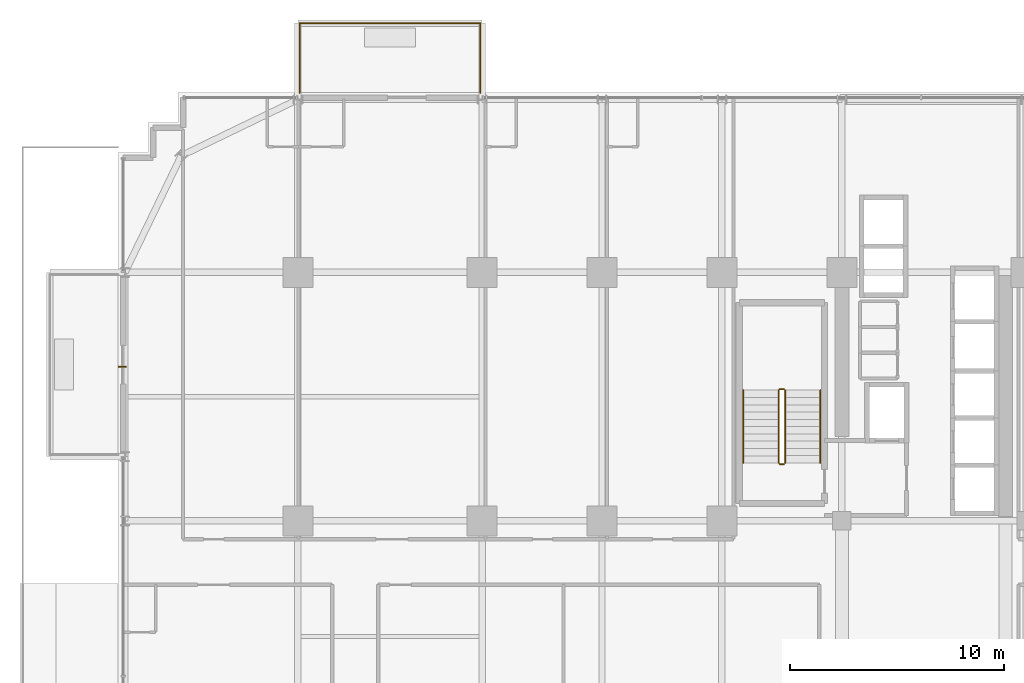
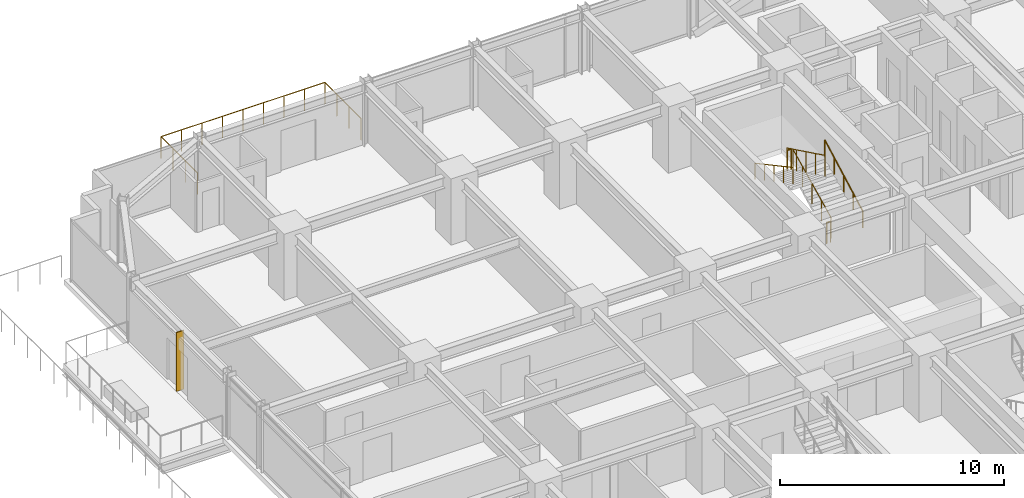
# One storey, part 38 of 39: 7 railings, 1 shading device.
"""IFC4 building model written with IfcOpenShell, lengths in metres."""

from ifc_helpers import new_model, si_unit, direction, frame, origin, origin_2d, place, context, subcontext, project, spatial, rectangle, circle, extrude, source, transform, mapped, material, layer, layer_set, type_object, element, save


model = new_model("IFC4")

# Units and contexts
model_context = context("Model", 3, precision=1e-05, world=origin(), true_north=direction((0.0, 1.0)))
body_context = subcontext(model_context, "Body", "Model", "MODEL_VIEW")
ifc_project = project(units=[si_unit("LENGTHUNIT", "METRE"), si_unit("AREAUNIT", "SQUARE_METRE"), si_unit("VOLUMEUNIT", "CUBIC_METRE"), si_unit("PLANEANGLEUNIT", "RADIAN"), si_unit("MASSUNIT", "GRAM", prefix="KILO")], contexts=[model_context])

# Site, building, storey
site_placement = place(None, origin())
site = spatial("IfcSite", under=ifc_project, at=site_placement, CompositionType="ELEMENT")
building_placement = place(site_placement, origin())
building = spatial("IfcBuilding", under=site, at=building_placement, Name="Nahalor Promenade Grand Hotel", CompositionType="ELEMENT")
storey_placement = place(building_placement, frame((0.0, 0.0, 32.39990234375)))
storey = spatial("IfcBuildingStorey", under=building, at=storey_placement, Name="L06", CompositionType="ELEMENT", Elevation=32.39990234375)

# Railings
ifc_material_1 = material(Name="Anodised Bronze Aluminium EN AW-6063 T6", Category="aluminium")
railing_type_1 = type_object("IfcRailingType", Name="Bronze Balcony Guardrail 1200 mm", PredefinedType="GUARDRAIL", material=ifc_material_1)
railing_1_placement = place(storey_placement, frame((-16.919921875, 25.39990234375, 0.0)))
element("IfcRailing", 1, at=railing_1_placement, inside=storey, type_object=railing_type_1, Name="L06 Balcony Guardrail 1", PredefinedType="GUARDRAIL", context=body_context, shape_type="SweptSolid", body=[
    extrude(circle(Radius=0.024048, at=origin_2d()), frame((0.0, 0.0, 1.17578125), z_axis=(0.0, 1.0, 0.0), x_axis=(-1.0, 0.0, 0.0)), (0.0, 0.0, 1.0), 3.238037109375),
    extrude(circle(Radius=0.024048, at=origin_2d()), frame((0.001953125, 3.239990234375, 1.17578125), z_axis=(1.0, 0.0, 0.0), x_axis=(0.0, 1.0, 0.0)), (0.0, 0.0, 1.0), 8.43603515625),
    extrude(circle(Radius=0.024048, at=origin_2d()), frame((8.43994140625, 3.238037109375, 1.17578125), z_axis=(0.0, -1.0, 0.0), x_axis=(1.0, 0.0, 0.0)), (0.0, 0.0, 1.0), 3.238037109375),
    extrude(circle(Radius=0.020996, at=origin_2d()), origin(), (0.0, 0.0, 1.0), 1.14990234375),
    extrude(circle(Radius=0.020996, at=origin_2d()), frame((0.0, 1.080078125, 0.0)), (0.0, 0.0, 1.0), 1.14990234375),
    extrude(circle(Radius=0.020996, at=origin_2d()), frame((0.0, 2.159912109375, 0.0)), (0.0, 0.0, 1.0), 1.14990234375),
    extrude(circle(Radius=0.020996, at=origin_2d()), frame((0.0, 3.239990234375, 0.0)), (0.0, 0.0, 1.0), 1.14990234375),
    extrude(circle(Radius=0.020996, at=origin_2d()), frame((1.054931640625, 3.239990234375, 0.0)), (0.0, 0.0, 1.0), 1.14990234375),
    extrude(circle(Radius=0.020996, at=origin_2d()), frame((2.10986328125, 3.239990234375, 0.0)), (0.0, 0.0, 1.0), 1.14990234375),
    extrude(circle(Radius=0.020996, at=origin_2d()), frame((3.1650390625, 3.239990234375, 0.0)), (0.0, 0.0, 1.0), 1.14990234375),
    extrude(circle(Radius=0.020996, at=origin_2d()), frame((4.219970703125, 3.239990234375, 0.0)), (0.0, 0.0, 1.0), 1.14990234375),
    extrude(circle(Radius=0.020996, at=origin_2d()), frame((5.27490234375, 3.239990234375, 0.0)), (0.0, 0.0, 1.0), 1.14990234375),
    extrude(circle(Radius=0.020996, at=origin_2d()), frame((6.330078125, 3.239990234375, 0.0)), (0.0, 0.0, 1.0), 1.14990234375),
    extrude(circle(Radius=0.020996, at=origin_2d()), frame((7.385009765625, 3.239990234375, 0.0)), (0.0, 0.0, 1.0), 1.14990234375),
    extrude(circle(Radius=0.020996, at=origin_2d()), frame((8.43994140625, 3.239990234375, 0.0)), (0.0, 0.0, 1.0), 1.14990234375),
    extrude(circle(Radius=0.020996, at=origin_2d()), frame((8.43994140625, 2.159912109375, 0.0)), (0.0, 0.0, 1.0), 1.14990234375),
    extrude(circle(Radius=0.020996, at=origin_2d()), frame((8.43994140625, 1.080078125, 0.0)), (0.0, 0.0, 1.0), 1.14990234375),
    extrude(circle(Radius=0.020996, at=origin_2d()), frame((8.43994140625, 0.0, 0.0)), (0.0, 0.0, 1.0), 1.14990234375),
])
ifc_material_2 = material(Name="Steel S355JR", Category="steel")
railing_type_2 = type_object("IfcRailingType", Name="Steel Stair Guardrail 1150 mm", PredefinedType="GUARDRAIL", material=ifc_material_2)
railing_2_placement = place(storey_placement, frame((5.75, 8.10009765625, 0.166015625)))
element("IfcRailing", 2, at=railing_2_placement, inside=storey, type_object=railing_type_2, Name="L06 ST1 stair guard 1", PredefinedType="GUARDRAIL", context=body_context, shape_type="SweptSolid", body=[
    extrude(circle(Radius=0.024048, at=origin_2d()), frame((0.0, 0.0, 1.1259765625), z_axis=(0.0, 0.898696488221, 0.438571114028), x_axis=(-1.0, 0.0, 0.0)), (0.0, 0.0, 1.0), 3.783203125),
    extrude(circle(Radius=0.020996, at=origin_2d()), origin(), (0.0, 0.0, 1.0), 1.099853515625),
    extrude(circle(Radius=0.020996, at=origin_2d()), frame((0.0, 0.85009765625, 0.414794921875)), (0.0, 0.0, 1.0), 1.099853515625),
    extrude(circle(Radius=0.020996, at=origin_2d()), frame((0.0, 1.699951171875, 0.82958984375)), (0.0, 0.0, 1.0), 1.099853515625),
    extrude(circle(Radius=0.020996, at=origin_2d()), frame((0.0, 2.5498046875, 1.244384765625)), (0.0, 0.0, 1.0), 1.099853515625),
    extrude(circle(Radius=0.020996, at=origin_2d()), frame((0.0, 3.39990234375, 1.6591796875)), (0.0, 0.0, 1.0), 1.099853515625),
])
railing_3_placement = place(storey_placement, frame((5.699951171875, 11.550048828125, 1.8251953125)))
element("IfcRailing", 3, at=railing_3_placement, inside=storey, type_object=railing_type_2, Name="L06 ST1 stair guard 2", PredefinedType="GUARDRAIL", context=body_context, shape_type="SweptSolid", body=[
    extrude(circle(Radius=0.024048, at=origin_2d()), frame((0.0, 0.0, 1.1259765625), z_axis=(-1.0, 0.0, 0.0), x_axis=(0.0, -1.0, 0.0)), (0.0, 0.0, 1.0), 0.199951171875),
    extrude(circle(Radius=0.020996, at=origin_2d()), origin(), (0.0, 0.0, 1.0), 1.099853515625),
    extrude(circle(Radius=0.020996, at=origin_2d()), frame((-0.199951171875, 0.0, 0.0)), (0.0, 0.0, 1.0), 1.099853515625),
])
railing_4_placement = place(storey_placement, frame((5.449951171875, 11.5, 1.990966796875)))
element("IfcRailing", 4, at=railing_4_placement, inside=storey, type_object=railing_type_2, Name="L06 ST1 stair guard 3", PredefinedType="GUARDRAIL", context=body_context, shape_type="SweptSolid", body=[
    extrude(circle(Radius=0.024048, at=origin_2d()), frame((0.0, 0.0, 1.1259765625), z_axis=(0.0, -0.898696488221, 0.438571114028), x_axis=(1.0, 0.0, 0.0)), (0.0, 0.0, 1.0), 3.783203125),
    extrude(circle(Radius=0.020996, at=origin_2d()), origin(), (0.0, 0.0, 1.0), 1.099853515625),
    extrude(circle(Radius=0.020996, at=origin_2d()), frame((0.0, -0.85009765625, 0.414794921875)), (0.0, 0.0, 1.0), 1.099853515625),
    extrude(circle(Radius=0.020996, at=origin_2d()), frame((0.0, -1.699951171875, 0.82958984375)), (0.0, 0.0, 1.0), 1.099853515625),
    extrude(circle(Radius=0.020996, at=origin_2d()), frame((0.0, -2.5498046875, 1.244384765625)), (0.0, 0.0, 1.0), 1.099853515625),
    extrude(circle(Radius=0.020996, at=origin_2d()), frame((0.0, -3.39990234375, 1.6591796875)), (0.0, 0.0, 1.0), 1.099853515625),
])
railing_5_placement = place(storey_placement, frame((5.699951171875, 8.050048828125, 0.0)))
element("IfcRailing", 5, at=railing_5_placement, inside=storey, type_object=railing_type_2, Name="L06 ST1 stair guard 4", PredefinedType="GUARDRAIL", context=body_context, shape_type="SweptSolid", body=[
    extrude(circle(Radius=0.024048, at=origin_2d()), frame((0.0, 0.0, 1.1259765625), z_axis=(-1.0, 0.0, 0.0), x_axis=(0.0, -1.0, 0.0)), (0.0, 0.0, 1.0), 0.199951171875),
    extrude(circle(Radius=0.020996, at=origin_2d()), origin(), (0.0, 0.0, 1.0), 1.099853515625),
    extrude(circle(Radius=0.020996, at=origin_2d()), frame((-0.199951171875, 0.0, 0.0)), (0.0, 0.0, 1.0), 1.099853515625),
])
railing_type_3 = type_object("IfcRailingType", Name="Steel Stair Handrail 900 mm", PredefinedType="HANDRAIL", material=ifc_material_2)
railing_6_placement = place(storey_placement, frame((7.39990234375, 8.10009765625, 0.166015625)))
element("IfcRailing", 6, at=railing_6_placement, inside=storey, type_object=railing_type_3, Name="L06 ST1 stair handrail 1", PredefinedType="HANDRAIL", context=body_context, shape_type="SweptSolid", body=[
    extrude(circle(Radius=0.024048, at=origin_2d()), frame((0.0, 0.0, 0.8759765625), z_axis=(0.0, 0.881094038095, 0.47294111265), x_axis=(-1.0, 0.0, 0.0)), (0.0, 0.0, 1.0), 3.858642578125),
    extrude(circle(Radius=0.020996, at=origin_2d()), origin(), (0.0, 0.0, 1.0), 0.849853515625),
    extrude(circle(Radius=0.020996, at=origin_2d()), frame((0.0, 0.85009765625, 0.456298828125)), (0.0, 0.0, 1.0), 0.849853515625),
    extrude(circle(Radius=0.020996, at=origin_2d()), frame((0.0, 1.699951171875, 0.91259765625)), (0.0, 0.0, 1.0), 0.849853515625),
    extrude(circle(Radius=0.020996, at=origin_2d()), frame((0.0, 2.5498046875, 1.36865234375)), (0.0, 0.0, 1.0), 0.849853515625),
    extrude(circle(Radius=0.020996, at=origin_2d()), frame((0.0, 3.39990234375, 1.824951171875)), (0.0, 0.0, 1.0), 0.849853515625),
])
railing_7_placement = place(storey_placement, frame((3.800048828125, 11.5, 1.990966796875)))
element("IfcRailing", 7, at=railing_7_placement, inside=storey, type_object=railing_type_3, Name="L06 ST1 stair handrail 2", PredefinedType="HANDRAIL", context=body_context, shape_type="SweptSolid", body=[
    extrude(circle(Radius=0.024048, at=origin_2d()), frame((0.0, 0.0, 0.8759765625), z_axis=(0.0, -0.881094038095, 0.47294111265), x_axis=(1.0, 0.0, 0.0)), (0.0, 0.0, 1.0), 3.858642578125),
    extrude(circle(Radius=0.020996, at=origin_2d()), origin(), (0.0, 0.0, 1.0), 0.849853515625),
    extrude(circle(Radius=0.020996, at=origin_2d()), frame((0.0, -0.85009765625, 0.456298828125)), (0.0, 0.0, 1.0), 0.849853515625),
    extrude(circle(Radius=0.020996, at=origin_2d()), frame((0.0, -1.699951171875, 0.91259765625)), (0.0, 0.0, 1.0), 0.849853515625),
    extrude(circle(Radius=0.020996, at=origin_2d()), frame((0.0, -2.5498046875, 1.36865234375)), (0.0, 0.0, 1.0), 0.849853515625),
    extrude(circle(Radius=0.020996, at=origin_2d()), frame((0.0, -3.39990234375, 1.824951171875)), (0.0, 0.0, 1.0), 0.849853515625),
])

# Shading device
ifc_layer = layer(ifc_material_1, 0.06005859375)
ifc_layer_set = layer_set([ifc_layer], Name="Anodised Bronze Aluminium EN AW-6063 T6")
shading_device_type = type_object("IfcShadingDeviceType", Name="Shade-SolarFin-Bronze", PredefinedType="JALOUSIE", material=ifc_layer_set)
shared_shape = source(origin(), body_context, "Body", "SweptSolid", [
    extrude(rectangle(XDim=0.3798828125, YDim=0.06005859375, at=origin_2d()), origin(), (0.0, 0.0, 1.0), 3.199951171875),
])
shading_device_placement = place(storey_placement, frame((-25.2099609375, 12.60009765625, 0.0), z_axis=(0.0, 0.0, 1.0), x_axis=(1.0, 0.0, 0.0)))
element("IfcShadingDevice", 8, at=shading_device_placement, inside=storey, type_object=shading_device_type, Name="JAL-L06-W2", PredefinedType="JALOUSIE", context=body_context, shape_type="MappedRepresentation", body=[
    mapped(shared_shape, transform((0.0, 0.0, 0.0), scale=1.0)),
])

save(model, "model.ifc")
